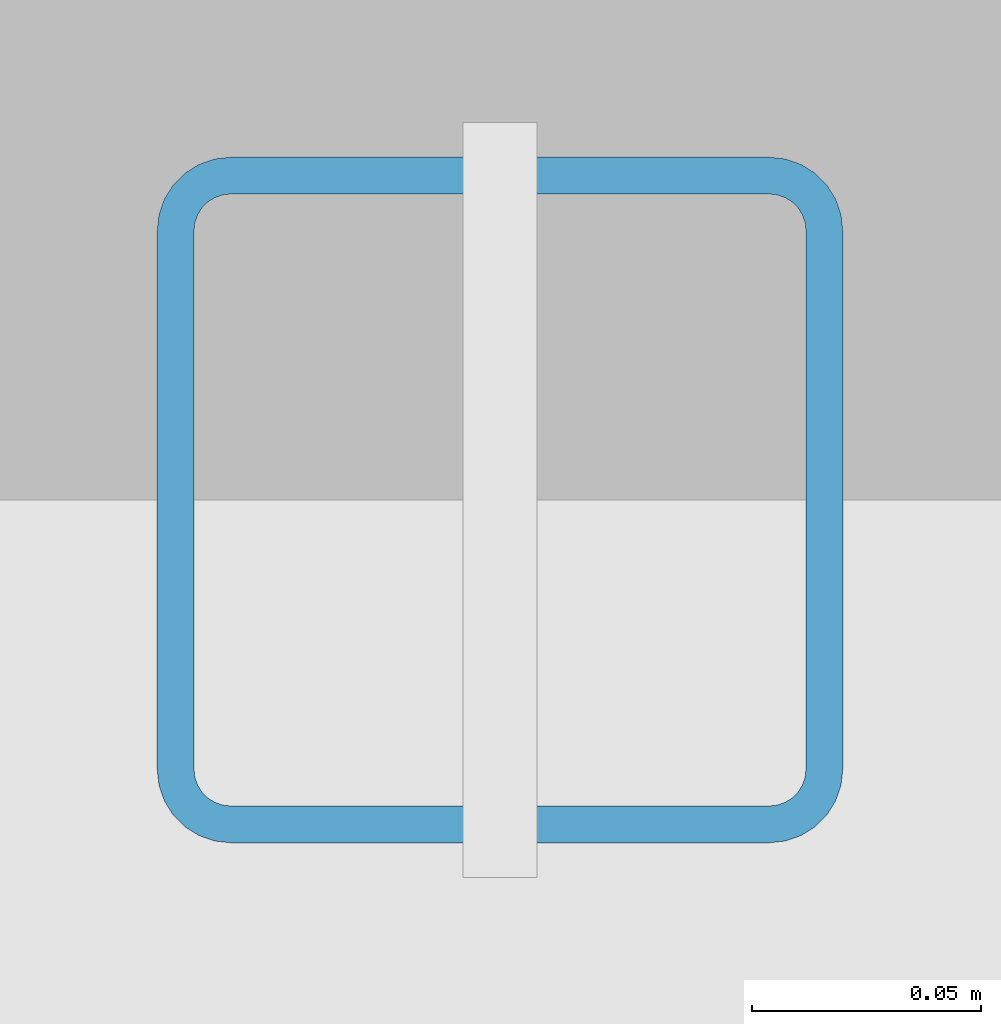
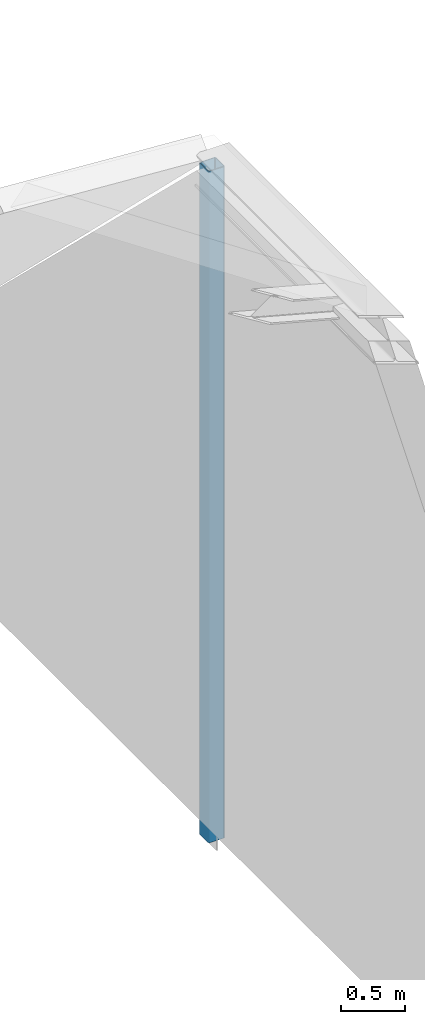
# One storey, part 7 of 54: 1 member.
"""IFC4 building model written with IfcOpenShell, lengths in metres."""

import ifcopenshell
import ifcopenshell.guid

model = None  # the IFC model being written
_history = None  # IfcOwnerHistory: only IFC2X3 demands one
_inside = {}  # id of a spatial element -> (the spatial element, [elements in it])
_under = {}  # id of a project, library or spatial element -> (it, [spatial elements below it])
_declared = {}  # id of a project -> (the project, [libraries it declares])
_typed = {}  # id of a type object -> (the type object, [elements of that type])
_made_of = {}  # id of a material, layer set ... -> (it, [elements and type objects made of it])


def new_model(schema):
    """Start an empty IFC model of exactly this schema.

    Asked for "IFC4X3", IfcOpenShell would pick the latest addendum, in which some entities
    have other attributes; the version numbers below select the first issue.
    IFC2X3 requires an IfcOwnerHistory on every rooted entity: one is made here for all.
    """
    global model, _history
    if schema == "IFC4X3":
        model = ifcopenshell.file(schema_version=(4, 3, 0, 0))
    else:
        model = ifcopenshell.file(schema=schema)
    _inside.clear()
    _under.clear()
    _declared.clear()
    _typed.clear()
    _made_of.clear()
    _history = None
    if model.schema == "IFC2X3":
        org = make("IfcOrganization", Name="unknown")
        user = make(
            "IfcPersonAndOrganization",
            ThePerson=make("IfcPerson", FamilyName="unknown"),
            TheOrganization=org,
        )
        app = make(
            "IfcApplication",
            ApplicationDeveloper=org,
            Version="unknown",
            ApplicationFullName="unknown",
            ApplicationIdentifier="unknown",
        )
        _history = make(
            "IfcOwnerHistory",
            OwningUser=user,
            OwningApplication=app,
            ChangeAction="ADDED",
            CreationDate=0,
        )
    return model


def make(cls, **values):
    """One entity of the class cls with the attributes given. An attribute that is None is left unset."""
    return model.create_entity(
        cls, **{name: value for name, value in values.items() if value is not None}
    )


def rooted(cls, **values):
    """An entity with a GlobalId (a new one), such as an element, a storey or a relation."""
    return make(cls, GlobalId=ifcopenshell.guid.new(), OwnerHistory=_history, **values)


def si_unit(unit_type, name, prefix=None):
    """IfcSIUnit, for example si_unit("LENGTHUNIT", "METRE", prefix="MILLI")."""
    return make("IfcSIUnit", UnitType=unit_type, Prefix=prefix, Name=name)


def assignment(units):
    """IfcUnitAssignment: the units of a project."""
    return None if units is None else make("IfcUnitAssignment", Units=units)


def point(xyz):
    """IfcCartesianPoint."""
    return None if xyz is None else make("IfcCartesianPoint", Coordinates=xyz)


def direction(xyz):
    """IfcDirection."""
    return None if xyz is None else make("IfcDirection", DirectionRatios=xyz)


def frame(location, z_axis=None, x_axis=None):
    """IfcAxis2Placement3D, a coordinate frame: its origin and axes. An axis left out is left unset."""
    return make(
        "IfcAxis2Placement3D",
        Location=point(location),
        Axis=direction(z_axis),
        RefDirection=direction(x_axis),
    )


def frame_2d(location, x_axis=None):
    """IfcAxis2Placement2D, a coordinate frame in the plane: its origin and x axis."""
    return make(
        "IfcAxis2Placement2D", Location=point(location), RefDirection=direction(x_axis)
    )


def origin():
    """The frame at (0, 0, 0) with its axes left unset."""
    return frame((0.0, 0.0, 0.0))


def origin_2d():
    """The frame at (0, 0) in the plane with its x axis left unset."""
    return frame_2d((0.0, 0.0))


def place(relative_to, where):
    """IfcLocalPlacement: puts the frame where relative to a parent placement (None: the world)."""
    return make(
        "IfcLocalPlacement", PlacementRelTo=relative_to, RelativePlacement=where
    )


def context(
    kind, dimensions, precision=None, world=None, true_north=None, identifier=None
):
    """IfcGeometricRepresentationContext, for example the 3D "Model" context."""
    return make(
        "IfcGeometricRepresentationContext",
        ContextIdentifier=identifier,
        ContextType=kind,
        CoordinateSpaceDimension=dimensions,
        Precision=precision,
        WorldCoordinateSystem=world,
        TrueNorth=true_north,
    )


def subcontext(parent, identifier, kind, view, scale=None):
    """IfcGeometricRepresentationSubContext, for example "Body" below "Model"."""
    return make(
        "IfcGeometricRepresentationSubContext",
        ContextIdentifier=identifier,
        ContextType=kind,
        ParentContext=parent,
        TargetScale=scale,
        TargetView=view,
    )


def project(units=None, contexts=None):
    """IfcProject with its units and contexts."""
    return rooted(
        "IfcProject",
        Name="project",
        RepresentationContexts=contexts,
        UnitsInContext=assignment(units),
    )


def spatial(cls, under=None, at=None, **own):
    """A site, building, storey or space (cls), placed at a placement, below another one or the project."""
    s = rooted(cls, ObjectPlacement=at, **own)
    if under is not None:
        _under.setdefault(under.id(), (under, []))[1].append(s)
    return s


def profile(cls, at=None, kind="AREA", **sizes):
    """A parametric profile (cls). Its sizes go by their IFC names, for example OverallWidth=200.0."""
    return make(cls, ProfileType=kind, Position=at, **sizes)


def hollow_rectangle(**sizes):
    """IfcRectangleHollowProfileDef."""
    return profile("IfcRectangleHollowProfileDef", **sizes)


def extrude(swept, where, along, depth):
    """IfcExtrudedAreaSolid: the profile swept, set in the frame where, extruded along a direction by depth."""
    return make(
        "IfcExtrudedAreaSolid",
        SweptArea=swept,
        Position=where,
        ExtrudedDirection=direction(along),
        Depth=depth,
    )


def shape(context_of_items, identifier, shape_type, items):
    """IfcShapeRepresentation: the items that make up one representation, for example the "Body"."""
    return make(
        "IfcShapeRepresentation",
        ContextOfItems=context_of_items,
        RepresentationIdentifier=identifier,
        RepresentationType=shape_type,
        Items=items,
    )


def material(Name=None, Category=None):
    """IfcMaterial."""
    return make("IfcMaterial", Name=Name, Category=Category)


def material_profile(
    of_material, cross_section, Name=None, Category=None, Priority=None
):
    """IfcMaterialProfile: a cross section and its material."""
    return make(
        "IfcMaterialProfile",
        Name=Name,
        Material=of_material,
        Profile=cross_section,
        Priority=Priority,
        Category=Category,
    )


def profile_set(profiles, Name=None, composite=None):
    """IfcMaterialProfileSet."""
    return make(
        "IfcMaterialProfileSet",
        Name=Name,
        MaterialProfiles=profiles,
        CompositeProfile=composite,
    )


def made_of(thing, what):
    """Note that an element or type object is made of a material, layer set ...; save() writes the relation."""
    if what is not None:
        _made_of.setdefault(what.id(), (what, []))[1].append(thing)
    return thing


def type_object(cls, material=None, **own):
    """A type object (cls), such as IfcWallType, which elements share."""
    return made_of(rooted(cls, **own), material)


def element(
    cls,
    number,
    at=None,
    inside=None,
    cuts=None,
    type_object=None,
    material=None,
    context=None,
    identifier="Body",
    shape_type=None,
    held_by="IfcProductDefinitionShape",
    body=None,
    shapes=None,
    **own,
):
    """One element of the class cls, such as IfcWall. Its Tag is "e" and its number.

    at: its placement. inside: the storey or other place that contains it. cuts: it is an
    opening in that element (IfcRelVoidsElement). A single representation is given by context,
    identifier, shape_type and body (its items); several are given by shapes. held_by: the class
    of the entity that holds the representations. save() writes the other relations.
    """
    e = rooted(cls, Tag="e%d" % number, ObjectPlacement=at, **own)
    if body is not None:
        shapes = [shape(context, identifier, shape_type, body)]
    if shapes is not None:
        e.Representation = make(held_by, Representations=shapes)
    if inside is not None:
        _inside.setdefault(inside.id(), (inside, []))[1].append(e)
    if cuts is not None:
        rooted(
            "IfcRelVoidsElement", RelatingBuildingElement=cuts, RelatedOpeningElement=e
        )
    if type_object is not None:
        _typed.setdefault(type_object.id(), (type_object, []))[1].append(e)
    return made_of(e, material)


def aggregate(whole, parts):
    """IfcRelAggregates: a whole, such as a stair, and the parts it consists of."""
    return rooted("IfcRelAggregates", RelatingObject=whole, RelatedObjects=parts)


def save(model, path):
    """Write the relations noted so far, then the file.

    IfcRelAggregates (storeys below a building ...), IfcRelContainedInSpatialStructure (elements
    in a storey), IfcRelDefinesByType, IfcRelAssociatesMaterial and IfcRelDeclares: one each for
    every whole, place, type object, material and project.
    """
    for whole, parts in _under.values():
        aggregate(whole, parts)
    for where, things in _inside.values():
        rooted(
            "IfcRelContainedInSpatialStructure",
            RelatedElements=things,
            RelatingStructure=where,
        )
    for kind, things in _typed.values():
        rooted("IfcRelDefinesByType", RelatedObjects=things, RelatingType=kind)
    for what, things in _made_of.values():
        rooted("IfcRelAssociatesMaterial", RelatedObjects=things, RelatingMaterial=what)
    for by, libraries in _declared.values():
        rooted("IfcRelDeclares", RelatingContext=by, RelatedDefinitions=libraries)
    model.write(path)


model = new_model("IFC4")

# Units and contexts
model_context = context("Model", 3, precision=1e-05, world=origin(), true_north=direction((0.0, 1.0)))
body_context = subcontext(model_context, "Body", "Model", "MODEL_VIEW")
ifc_project = project(units=[si_unit("LENGTHUNIT", "METRE"), si_unit("AREAUNIT", "SQUARE_METRE"), si_unit("VOLUMEUNIT", "CUBIC_METRE"), si_unit("PLANEANGLEUNIT", "RADIAN"), si_unit("MASSUNIT", "GRAM", prefix="KILO")], contexts=[model_context])

# Site, building, storey
site_placement = place(None, origin())
site = spatial("IfcSite", under=ifc_project, at=site_placement, CompositionType="ELEMENT")
building_placement = place(site_placement, origin())
building = spatial("IfcBuilding", under=site, at=building_placement, Name="Koriwan Promenade Central Fire Station", CompositionType="ELEMENT")
storey_placement = place(building_placement, frame((0.0, 0.0, 9.60009765625)))
storey = spatial("IfcBuildingStorey", under=building, at=storey_placement, Name="L02", CompositionType="ELEMENT", Elevation=9.60009765625)

# Member
ifc_material = material(Name="Steel ASTM A500 Grade C", Category="steel")
ifc_material_profile = material_profile(ifc_material, hollow_rectangle(XDim=0.14990234375, YDim=0.14990234375, WallThickness=0.008056640625, InnerFilletRadius=0.008056640625, OuterFilletRadius=0.01611328125, at=origin_2d()), Name="HSS150x150x8")
ifc_profile_set = profile_set([ifc_material_profile], Name="Steel ASTM A500 Grade C")
member_type = type_object("IfcMemberType", Name="Member_STRUT_HSS150x150x8", PredefinedType="STRUT", material=ifc_profile_set)
member_placement = place(storey_placement, frame((115.199951171875, 65.32177734375, -0.18017578125), z_axis=(0.0, 0.0, 1.0), x_axis=(1.0, 0.0, 0.0)))
element("IfcMember", 1, at=member_placement, inside=storey, type_object=member_type, Name="V1 east portal truss vertical 2", PredefinedType="STRUT", context=body_context, shape_type="SweptSolid", body=[
    extrude(hollow_rectangle(XDim=0.14990234375, YDim=0.14990234375, WallThickness=0.008056640625, InnerFilletRadius=0.008056640625, OuterFilletRadius=0.01611328125, at=origin_2d()), origin(), (0.0, 0.0, 1.0), 6.369873046875),
])

save(model, "model.ifc")
